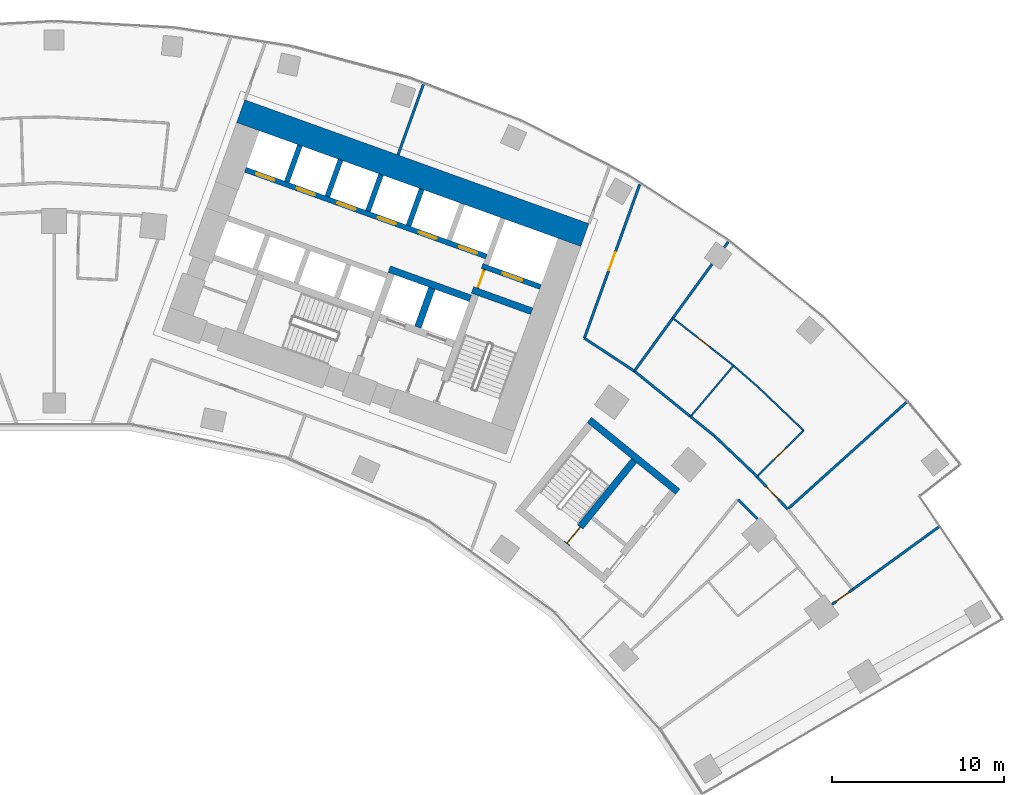
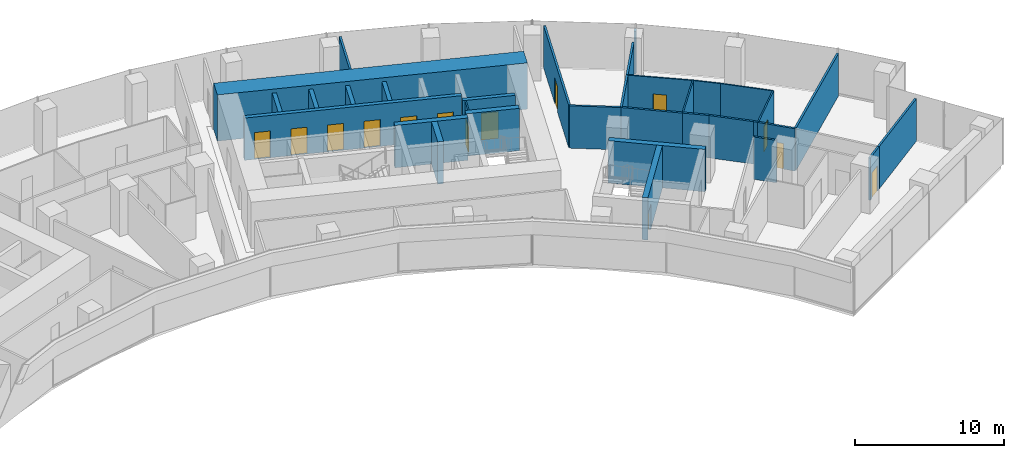
# One storey, part 18 of 21: 33 walls, 14 doors, 14 openings.
"""IFC4 building model written with IfcOpenShell, lengths in metres."""

from ifc_helpers import new_model, si_unit, direction, frame, frame_2d, origin, place, context, subcontext, project, spatial, rectangle, extrude, material, layer, layer_set, type_object, element, fill, save


model = new_model("IFC4")

# Units and contexts
model_context = context("Model", 3, precision=1e-05, world=origin(), true_north=direction((0.0, 1.0)))
body_context = subcontext(model_context, "Body", "Model", "MODEL_VIEW")
ifc_project = project(units=[si_unit("LENGTHUNIT", "METRE"), si_unit("AREAUNIT", "SQUARE_METRE"), si_unit("VOLUMEUNIT", "CUBIC_METRE"), si_unit("PLANEANGLEUNIT", "RADIAN"), si_unit("MASSUNIT", "GRAM", prefix="KILO")], contexts=[model_context])

# Site, building, storey
site_placement = place(None, origin())
site = spatial("IfcSite", under=ifc_project, at=site_placement, CompositionType="ELEMENT")
building_placement = place(site_placement, origin())
building = spatial("IfcBuilding", under=site, at=building_placement, Name="Stone Belt Terrace Tower", CompositionType="ELEMENT")
storey_placement = place(building_placement, frame((0.0, 0.0, 90.800048828125)))
storey = spatial("IfcBuildingStorey", under=building, at=storey_placement, Name="L21", CompositionType="ELEMENT", Elevation=90.800048828125)

# Wall, opening, door
ifc_material_1 = material(Name="Plasterboard partition")
ifc_layer_1 = layer(ifc_material_1, 0.10009765625)
ifc_layer_set_1 = layer_set([ifc_layer_1], Name="Core partition 100")
wall_type_1 = type_object("IfcWallType", Name="Core partition 100", PredefinedType="PARTITIONING", material=ifc_layer_set_1)
wall_1_placement = place(storey_placement, frame((24.555908203125, 51.10400390625, 0.0), z_axis=(0.0, 0.0, 1.0), x_axis=(0.338621735342, 0.94092258999, 0.0)))
wall_1 = element("IfcWall", 1, at=wall_1_placement, inside=storey, type_object=wall_type_1, Name="Core B wall", PredefinedType="PARTITIONING", context=body_context, shape_type="SweptSolid", body=[
    extrude(rectangle(XDim=1.14990234375, YDim=0.10009765625, at=frame_2d((0.574951171875, 0.0))), origin(), (0.0, 0.0, 1.0), 3.47998046875),
])
opening_1_placement = place(wall_1_placement, frame((0.050048828125, 0.0, 0.0)))
opening_1 = element("IfcOpeningElement", 2, at=opening_1_placement, cuts=wall_1, Name="Opening L21-C10", PredefinedType="OPENING", context=body_context, shape_type="SweptSolid", body=[
    extrude(rectangle(XDim=1.0, YDim=2.10009765625, at=frame_2d((0.5, 1.050048828125))), frame((0.0, 0.06005859375, 0.0), z_axis=(0.0, -1.0, 0.0), x_axis=(1.0, 0.0, 0.0)), (0.0, 0.0, 1.0), 0.1201171875),
])
ifc_material_2 = material(Name="Timber door leaf", Category="wood")
door_type_1 = type_object("IfcDoorType", Name="Core room door 1000", OperationType="SINGLE_SWING_LEFT", PredefinedType="DOOR", material=ifc_material_2)
door_1_placement = place(opening_1_placement, origin())
door_1 = element("IfcDoor", 3, at=door_1_placement, inside=storey, type_object=door_type_1, Name="Service lift lobby door core B", OperationType="SINGLE_SWING_LEFT", OverallHeight=2.10009765625, OverallWidth=1.0, PredefinedType="DOOR", context=body_context, shape_type="SweptSolid", body=[
    extrude(rectangle(XDim=1.0, YDim=2.10009765625, at=frame_2d((0.5, 1.050048828125))), frame((0.0, 0.02490234375, 0.0), z_axis=(0.0, -1.0, 0.0), x_axis=(1.0, 0.0, 0.0)), (0.0, 0.0, 1.0), 0.050048828125),
])
fill(opening_1, door_1)

# Walls
ifc_material_3 = material(Name="Concrete B80", Category="concrete")
ifc_layer_2 = layer(ifc_material_3, 1.39990234375)
ifc_layer_set_2 = layer_set([ifc_layer_2], Name="Core wall 1400 B80")
wall_type_2 = type_object("IfcWallType", Name="Core wall 1400 B80", PredefinedType="SHEAR", material=ifc_layer_set_2)
wall_2_placement = place(storey_placement, frame((10.81787109375, 61.362060546875, 0.0), z_axis=(0.0, 0.0, 1.0), x_axis=(0.940919704758, -0.338629752382, 0.0)))
element("IfcWall", 4, at=wall_2_placement, inside=storey, type_object=wall_type_2, Name="Core B wall convex L21", PredefinedType="SHEAR", context=body_context, shape_type="SweptSolid", body=[
    extrude(rectangle(XDim=21.199951171875, YDim=1.39990234375, at=frame_2d((10.60009765625, 0.0))), origin(), (0.0, 0.0, 1.0), 3.800048828125),
])
ifc_layer_3 = layer(ifc_material_3, 0.39990234375)
ifc_layer_set_3 = layer_set([ifc_layer_3], Name="Fire-fighting lift shaft wall 400")
wall_type_3 = type_object("IfcWallType", Name="Fire-fighting lift shaft wall 400", PredefinedType="SHEAR", material=ifc_layer_set_3)
wall_3_placement = place(storey_placement, frame((24.130615234375, 50.512939453125, 0.0), z_axis=(0.0, 0.0, 1.0), x_axis=(-0.94091168377, 0.338652038744, 0.0)))
element("IfcWall", 5, at=wall_3_placement, inside=storey, type_object=wall_type_3, Name="Core B wall", PredefinedType="SHEAR", context=body_context, shape_type="SweptSolid", body=[
    extrude(rectangle(XDim=5.000244140625, YDim=0.39990234375, at=frame_2d((2.5, 0.0))), origin(), (0.0, 0.0, 1.0), 3.47998046875),
])
wall_4_placement = place(storey_placement, frame((21.0859375, 48.845458984375, 0.0), z_axis=(0.0, 0.0, 1.0), x_axis=(0.338629416206, 0.940919825745, 0.0)))
element("IfcWall", 6, at=wall_4_placement, inside=storey, type_object=wall_type_3, Name="Core B wall", PredefinedType="SHEAR", context=body_context, shape_type="SweptSolid", body=[
    extrude(rectangle(XDim=2.400146484375, YDim=0.39990234375, at=frame_2d((1.2001953125, 0.0))), origin(), (0.0, 0.0, 1.0), 3.47998046875),
])

# Wall, opening, door
ifc_layer_4 = layer(ifc_material_3, 0.300048828125)
ifc_layer_set_4 = layer_set([ifc_layer_4], Name="Lift shaft wall 300")
wall_type_4 = type_object("IfcWallType", Name="Lift shaft wall 300", PredefinedType="SHEAR", material=ifc_layer_set_4)
wall_5_placement = place(storey_placement, frame((28.195068359375, 51.17578125, 0.0), z_axis=(0.0, 0.0, 1.0), x_axis=(-0.940901243567, 0.338681044427, 0.0)))
wall_5 = element("IfcWall", 7, at=wall_5_placement, inside=storey, type_object=wall_type_4, Name="Core B wall", PredefinedType="SHEAR", context=body_context, shape_type="SweptSolid", body=[
    extrude(rectangle(XDim=3.599853515625, YDim=0.300048828125, at=frame_2d((1.7998046875, 0.0))), origin(), (0.0, 0.0, 1.0), 3.47998046875),
])
opening_2_placement = place(wall_5_placement, frame((1.1201171875, 0.0, 0.0)))
opening_2 = element("IfcOpeningElement", 8, at=opening_2_placement, cuts=wall_5, Name="Opening L21-LD18", PredefinedType="OPENING", context=body_context, shape_type="SweptSolid", body=[
    extrude(rectangle(XDim=1.199951171875, YDim=2.199951171875, at=frame_2d((0.60009765625, 1.10009765625))), frame((0.0, 0.159912109375, 0.0), z_axis=(0.0, -1.0, 0.0), x_axis=(1.0, 0.0, 0.0)), (0.0, 0.0, 1.0), 0.320068359375),
])
ifc_material_4 = material(Name="Stainless steel door leaf", Category="steel")
door_type_2 = type_object("IfcDoorType", Name="Landing door 1200", OperationType="SLIDING_TO_LEFT", PredefinedType="DOOR", material=ifc_material_4)
door_2_placement = place(opening_2_placement, origin())
door_2 = element("IfcDoor", 9, at=door_2_placement, inside=storey, type_object=door_type_2, Name="Landing door SV1 core B", OperationType="SLIDING_TO_LEFT", OverallHeight=2.199951171875, OverallWidth=1.199951171875, PredefinedType="DOOR", context=body_context, shape_type="SweptSolid", body=[
    extrude(rectangle(XDim=1.199951171875, YDim=2.199951171875, at=frame_2d((0.60009765625, 1.10009765625))), frame((0.0, 0.02490234375, 0.0), z_axis=(0.0, -1.0, 0.0), x_axis=(1.0, 0.0, 0.0)), (0.0, 0.0, 1.0), 0.050048828125),
])
fill(opening_2, door_2)

# Wall, openings, doors
wall_6_placement = place(storey_placement, frame((25.05810546875, 52.9423828125, 0.0), z_axis=(0.0, 0.0, 1.0), x_axis=(-0.940918215764, 0.338633889685, 0.0)))
wall_6 = element("IfcWall", 10, at=wall_6_placement, inside=storey, type_object=wall_type_4, Name="Core B wall", PredefinedType="SHEAR", context=body_context, shape_type="SweptSolid", body=[
    extrude(rectangle(XDim=14.850341796875, YDim=0.300048828125, at=frame_2d((7.42529296875, 0.0))), origin(), (0.0, 0.0, 1.0), 3.47998046875),
])
opening_3_placement = place(wall_6_placement, frame((0.570068359375, 0.0, 0.0)))
opening_3 = element("IfcOpeningElement", 11, at=opening_3_placement, cuts=wall_6, Name="Opening L21-LD10", PredefinedType="OPENING", context=body_context, shape_type="SweptSolid", body=[
    extrude(rectangle(XDim=1.10009765625, YDim=2.199951171875, at=frame_2d((0.550048828125, 1.10009765625))), frame((0.0, 0.159912109375, 0.0), z_axis=(0.0, -1.0, 0.0), x_axis=(1.0, 0.0, 0.0)), (0.0, 0.0, 1.0), 0.320068359375),
])
opening_4_placement = place(wall_6_placement, frame((3.070068359375, 0.0, 0.0)))
opening_4 = element("IfcOpeningElement", 12, at=opening_4_placement, cuts=wall_6, Name="Opening L21-LD11", PredefinedType="OPENING", context=body_context, shape_type="SweptSolid", body=[
    extrude(rectangle(XDim=1.10009765625, YDim=2.199951171875, at=frame_2d((0.550048828125, 1.10009765625))), frame((0.0, 0.159912109375, 0.0), z_axis=(0.0, -1.0, 0.0), x_axis=(1.0, 0.0, 0.0)), (0.0, 0.0, 1.0), 0.320068359375),
])
opening_5_placement = place(wall_6_placement, frame((5.570068359375, 0.0, 0.0)))
opening_5 = element("IfcOpeningElement", 13, at=opening_5_placement, cuts=wall_6, Name="Opening L21-LD12", PredefinedType="OPENING", context=body_context, shape_type="SweptSolid", body=[
    extrude(rectangle(XDim=1.10009765625, YDim=2.199951171875, at=frame_2d((0.550048828125, 1.10009765625))), frame((0.0, 0.159912109375, 0.0), z_axis=(0.0, -1.0, 0.0), x_axis=(1.0, 0.0, 0.0)), (0.0, 0.0, 1.0), 0.320068359375),
])
opening_6_placement = place(wall_6_placement, frame((8.070068359375, 0.0, 0.0)))
opening_6 = element("IfcOpeningElement", 14, at=opening_6_placement, cuts=wall_6, Name="Opening L21-LD13", PredefinedType="OPENING", context=body_context, shape_type="SweptSolid", body=[
    extrude(rectangle(XDim=1.10009765625, YDim=2.199951171875, at=frame_2d((0.550048828125, 1.10009765625))), frame((0.0, 0.159912109375, 0.0), z_axis=(0.0, -1.0, 0.0), x_axis=(1.0, 0.0, 0.0)), (0.0, 0.0, 1.0), 0.320068359375),
])
opening_7_placement = place(wall_6_placement, frame((10.570068359375, 0.0, 0.0)))
opening_7 = element("IfcOpeningElement", 15, at=opening_7_placement, cuts=wall_6, Name="Opening L21-LD14", PredefinedType="OPENING", context=body_context, shape_type="SweptSolid", body=[
    extrude(rectangle(XDim=1.10009765625, YDim=2.199951171875, at=frame_2d((0.550048828125, 1.10009765625))), frame((0.0, 0.159912109375, 0.0), z_axis=(0.0, -1.0, 0.0), x_axis=(1.0, 0.0, 0.0)), (0.0, 0.0, 1.0), 0.320068359375),
])
opening_8_placement = place(wall_6_placement, frame((13.070068359375, 0.0, 0.0)))
opening_8 = element("IfcOpeningElement", 16, at=opening_8_placement, cuts=wall_6, Name="Opening L21-LD15", PredefinedType="OPENING", context=body_context, shape_type="SweptSolid", body=[
    extrude(rectangle(XDim=1.10009765625, YDim=2.199951171875, at=frame_2d((0.550048828125, 1.10009765625))), frame((0.0, 0.159912109375, 0.0), z_axis=(0.0, -1.0, 0.0), x_axis=(1.0, 0.0, 0.0)), (0.0, 0.0, 1.0), 0.320068359375),
])
door_type_3 = type_object("IfcDoorType", Name="Landing door 1100", OperationType="SLIDING_TO_LEFT", PredefinedType="DOOR", material=ifc_material_4)
door_3_placement = place(opening_3_placement, origin())
door_3 = element("IfcDoor", 17, at=door_3_placement, inside=storey, type_object=door_type_3, Name="Landing door LR1 core B", OperationType="SLIDING_TO_LEFT", OverallHeight=2.199951171875, OverallWidth=1.10009765625, PredefinedType="DOOR", context=body_context, shape_type="SweptSolid", body=[
    extrude(rectangle(XDim=1.10009765625, YDim=2.199951171875, at=frame_2d((0.550048828125, 1.10009765625))), frame((0.0, 0.02490234375, 0.0), z_axis=(0.0, -1.0, 0.0), x_axis=(1.0, 0.0, 0.0)), (0.0, 0.0, 1.0), 0.050048828125),
])
fill(opening_3, door_3)
door_4_placement = place(opening_4_placement, origin())
door_4 = element("IfcDoor", 18, at=door_4_placement, inside=storey, type_object=door_type_3, Name="Landing door LR2 core B", OperationType="SLIDING_TO_LEFT", OverallHeight=2.199951171875, OverallWidth=1.10009765625, PredefinedType="DOOR", context=body_context, shape_type="SweptSolid", body=[
    extrude(rectangle(XDim=1.10009765625, YDim=2.199951171875, at=frame_2d((0.550048828125, 1.10009765625))), frame((0.0, 0.02490234375, 0.0), z_axis=(0.0, -1.0, 0.0), x_axis=(1.0, 0.0, 0.0)), (0.0, 0.0, 1.0), 0.050048828125),
])
fill(opening_4, door_4)
door_5_placement = place(opening_5_placement, origin())
door_5 = element("IfcDoor", 19, at=door_5_placement, inside=storey, type_object=door_type_3, Name="Landing door LR3 core B", OperationType="SLIDING_TO_LEFT", OverallHeight=2.199951171875, OverallWidth=1.10009765625, PredefinedType="DOOR", context=body_context, shape_type="SweptSolid", body=[
    extrude(rectangle(XDim=1.10009765625, YDim=2.199951171875, at=frame_2d((0.550048828125, 1.10009765625))), frame((0.0, 0.02490234375, 0.0), z_axis=(0.0, -1.0, 0.0), x_axis=(1.0, 0.0, 0.0)), (0.0, 0.0, 1.0), 0.050048828125),
])
fill(opening_5, door_5)
door_6_placement = place(opening_6_placement, origin())
door_6 = element("IfcDoor", 20, at=door_6_placement, inside=storey, type_object=door_type_3, Name="Landing door LR4 core B", OperationType="SLIDING_TO_LEFT", OverallHeight=2.199951171875, OverallWidth=1.10009765625, PredefinedType="DOOR", context=body_context, shape_type="SweptSolid", body=[
    extrude(rectangle(XDim=1.10009765625, YDim=2.199951171875, at=frame_2d((0.550048828125, 1.10009765625))), frame((0.0, 0.02490234375, 0.0), z_axis=(0.0, -1.0, 0.0), x_axis=(1.0, 0.0, 0.0)), (0.0, 0.0, 1.0), 0.050048828125),
])
fill(opening_6, door_6)
door_7_placement = place(opening_7_placement, origin())
door_7 = element("IfcDoor", 21, at=door_7_placement, inside=storey, type_object=door_type_3, Name="Landing door LR5 core B", OperationType="SLIDING_TO_LEFT", OverallHeight=2.199951171875, OverallWidth=1.10009765625, PredefinedType="DOOR", context=body_context, shape_type="SweptSolid", body=[
    extrude(rectangle(XDim=1.10009765625, YDim=2.199951171875, at=frame_2d((0.550048828125, 1.10009765625))), frame((0.0, 0.02490234375, 0.0), z_axis=(0.0, -1.0, 0.0), x_axis=(1.0, 0.0, 0.0)), (0.0, 0.0, 1.0), 0.050048828125),
])
fill(opening_7, door_7)
door_8_placement = place(opening_8_placement, origin())
door_8 = element("IfcDoor", 22, at=door_8_placement, inside=storey, type_object=door_type_3, Name="Landing door LR6 core B", OperationType="SLIDING_TO_LEFT", OverallHeight=2.199951171875, OverallWidth=1.10009765625, PredefinedType="DOOR", context=body_context, shape_type="SweptSolid", body=[
    extrude(rectangle(XDim=1.10009765625, YDim=2.199951171875, at=frame_2d((0.550048828125, 1.10009765625))), frame((0.0, 0.02490234375, 0.0), z_axis=(0.0, -1.0, 0.0), x_axis=(1.0, 0.0, 0.0)), (0.0, 0.0, 1.0), 0.050048828125),
])
fill(opening_8, door_8)

# Walls
wall_7_placement = place(storey_placement, frame((20.54541015625, 54.72607421875, 0.0), z_axis=(0.0, 0.0, 1.0), x_axis=(0.338569601369, 0.940941350472, 0.0)))
element("IfcWall", 23, at=wall_7_placement, inside=storey, type_object=wall_type_4, Name="Core B wall", PredefinedType="SHEAR", context=body_context, shape_type="SweptSolid", body=[
    extrude(rectangle(XDim=2.249755859375, YDim=0.300048828125, at=frame_2d((1.125, 0.0))), origin(), (0.0, 0.0, 1.0), 3.47998046875),
])
wall_8_placement = place(storey_placement, frame((18.193115234375, 55.572509765625, 0.0), z_axis=(0.0, 0.0, 1.0), x_axis=(0.338535034312, 0.940953787677, 0.0)))
element("IfcWall", 24, at=wall_8_placement, inside=storey, type_object=wall_type_4, Name="Core B wall", PredefinedType="SHEAR", context=body_context, shape_type="SweptSolid", body=[
    extrude(rectangle(XDim=2.25, YDim=0.300048828125, at=frame_2d((1.125, 0.0))), origin(), (0.0, 0.0, 1.0), 3.47998046875),
])
wall_9_placement = place(storey_placement, frame((15.8408203125, 56.419189453125, 0.0), z_axis=(0.0, 0.0, 1.0), x_axis=(0.338569601369, 0.940941350472, 0.0)))
element("IfcWall", 25, at=wall_9_placement, inside=storey, type_object=wall_type_4, Name="Core B wall", PredefinedType="SHEAR", context=body_context, shape_type="SweptSolid", body=[
    extrude(rectangle(XDim=2.249755859375, YDim=0.300048828125, at=frame_2d((1.125, 0.0))), origin(), (0.0, 0.0, 1.0), 3.47998046875),
])
wall_10_placement = place(storey_placement, frame((13.48828125, 57.265625, 0.0), z_axis=(0.0, 0.0, 1.0), x_axis=(0.338631098537, 0.940919220286, 0.0)))
element("IfcWall", 26, at=wall_10_placement, inside=storey, type_object=wall_type_4, Name="Core B wall", PredefinedType="SHEAR", context=body_context, shape_type="SweptSolid", body=[
    extrude(rectangle(XDim=2.250244140625, YDim=0.300048828125, at=frame_2d((1.125, 0.0))), origin(), (0.0, 0.0, 1.0), 3.47998046875),
])

# Wall, opening, door
ifc_material_5 = material(Name="Gypsum board partition")
ifc_layer_5 = layer(ifc_material_5, 0.10009765625)
ifc_layer_set_5 = layer_set([ifc_layer_5], Name="PARTITION 100")
wall_type_5 = type_object("IfcWallType", Name="PARTITION 100", PredefinedType="PARTITIONING", material=ifc_layer_set_5)
wall_11_placement = place(storey_placement, frame((39.387939453125, 46.611083984375, 0.0), z_axis=(0.0, 0.0, 1.0), x_axis=(-0.786962053446, 0.617001399056, 0.0)))
wall_11 = element("IfcWall", 27, at=wall_11_placement, inside=storey, type_object=wall_type_5, Name="L21/wall/i073", PredefinedType="PARTITIONING", context=body_context, shape_type="SweptSolid", body=[
    extrude(rectangle(XDim=4.4716796875, YDim=0.10009765625, at=frame_2d((2.23583984375, 0.0))), origin(), (0.0, 0.0, 1.0), 3.47998046875),
])
opening_9_placement = place(wall_11_placement, frame((1.785888671875, 0.0, 0.0)))
opening_9 = element("IfcOpeningElement", 28, at=opening_9_placement, cuts=wall_11, Name="Opening D-B2-23", PredefinedType="OPENING", context=body_context, shape_type="SweptSolid", body=[
    extrude(rectangle(XDim=0.89990234375, YDim=2.10009765625, at=frame_2d((0.449951171875, 1.050048828125))), frame((0.0, 0.06005859375, 0.0), z_axis=(0.0, -1.0, 0.0), x_axis=(1.0, 0.0, 0.0)), (0.0, 0.0, 1.0), 0.1201171875),
])
door_type_4 = type_object("IfcDoorType", Name="OFFICE DOOR 900 X 2100", OperationType="NOTDEFINED", PredefinedType="DOOR", material=ifc_material_2)
door_9_placement = place(opening_9_placement, origin())
door_9 = element("IfcDoor", 29, at=door_9_placement, inside=storey, type_object=door_type_4, Name="L21/door/i23", OperationType="SINGLE_SWING_RIGHT", OverallHeight=2.10009765625, OverallWidth=0.89990234375, PredefinedType="DOOR", context=body_context, shape_type="SweptSolid", body=[
    extrude(rectangle(XDim=0.89990234375, YDim=2.10009765625, at=frame_2d((0.449951171875, 1.050048828125))), frame((0.0, 0.02490234375, 0.0), z_axis=(0.0, -1.0, 0.0), x_axis=(1.0, 0.0, 0.0)), (0.0, 0.0, 1.0), 0.050048828125),
])
fill(opening_9, door_9)

wall_12_placement = place(storey_placement, frame((40.739013671875, 40.177978515625, 0.0), z_axis=(0.0, 0.0, 1.0), x_axis=(0.7119326246, 0.702247775383, 0.0)))
wall_12 = element("IfcWall", 30, at=wall_12_placement, inside=storey, type_object=wall_type_5, Name="L21/wall/i074", PredefinedType="PARTITIONING", context=body_context, shape_type="SweptSolid", body=[
    extrude(rectangle(XDim=3.806396484375, YDim=0.10009765625, at=frame_2d((1.9033203125, 0.0))), origin(), (0.0, 0.0, 1.0), 3.47998046875),
])
opening_10_placement = place(wall_12_placement, frame((1.453125, 0.0, 0.0)))
opening_10 = element("IfcOpeningElement", 31, at=opening_10_placement, cuts=wall_12, Name="Opening D-B2-24", PredefinedType="OPENING", context=body_context, shape_type="SweptSolid", body=[
    extrude(rectangle(XDim=0.89990234375, YDim=2.10009765625, at=frame_2d((0.449951171875, 1.050048828125))), frame((0.0, 0.06005859375, 0.0), z_axis=(0.0, -1.0, 0.0), x_axis=(1.0, 0.0, 0.0)), (0.0, 0.0, 1.0), 0.1201171875),
])
door_10_placement = place(opening_10_placement, origin())
door_10 = element("IfcDoor", 32, at=door_10_placement, inside=storey, type_object=door_type_4, Name="L21/door/i24", OperationType="SINGLE_SWING_RIGHT", OverallHeight=2.10009765625, OverallWidth=0.89990234375, PredefinedType="DOOR", context=body_context, shape_type="SweptSolid", body=[
    extrude(rectangle(XDim=0.89990234375, YDim=2.10009765625, at=frame_2d((0.449951171875, 1.050048828125))), frame((0.0, 0.02490234375, 0.0), z_axis=(0.0, -1.0, 0.0), x_axis=(1.0, 0.0, 0.0)), (0.0, 0.0, 1.0), 0.050048828125),
])
fill(opening_10, door_10)

# Walls
wall_13_placement = place(storey_placement, frame((43.448974609375, 42.85107421875, 0.0), z_axis=(0.0, 0.0, 1.0), x_axis=(-0.723084314641, 0.690759780184, 0.0)))
element("IfcWall", 33, at=wall_13_placement, inside=storey, type_object=wall_type_5, Name="L21/wall/i075", PredefinedType="PARTITIONING", context=body_context, shape_type="SweptSolid", body=[
    extrude(rectangle(XDim=3.61767578125, YDim=0.10009765625, at=frame_2d((1.808837890625, 0.0))), origin(), (0.0, 0.0, 1.0), 3.47998046875),
])
wall_14_placement = place(storey_placement, frame((40.8330078125, 45.35009765625, 0.0), z_axis=(0.0, 0.0, 1.0), x_axis=(-0.753467080119, 0.657485634198, 0.0)))
element("IfcWall", 34, at=wall_14_placement, inside=storey, type_object=wall_type_5, Name="L21/wall/i076", PredefinedType="PARTITIONING", context=body_context, shape_type="SweptSolid", body=[
    extrude(rectangle(XDim=1.91796875, YDim=0.10009765625, at=frame_2d((0.958984375, 0.0))), origin(), (0.0, 0.0, 1.0), 3.47998046875),
])
wall_15_placement = place(storey_placement, frame((39.387939453125, 46.611083984375, 0.0), z_axis=(0.0, 0.0, 1.0), x_axis=(-0.645622277599, -0.763656909003, 0.0)))
element("IfcWall", 35, at=wall_15_placement, inside=storey, type_object=wall_type_5, Name="L21/wall/i078", PredefinedType="PARTITIONING", context=body_context, shape_type="SweptSolid", body=[
    extrude(rectangle(XDim=3.86572265625, YDim=0.10009765625, at=frame_2d((1.932861328125, 0.0))), origin(), (0.0, 0.0, 1.0), 3.47998046875),
])

# Wall, opening, door
ifc_layer_6 = layer(ifc_material_5, 0.14990234375)
ifc_layer_set_6 = layer_set([ifc_layer_6], Name="PARTITION 150 EI 60")
wall_type_6 = type_object("IfcWallType", Name="PARTITION 150 EI 60", PredefinedType="PARTITIONING", material=ifc_layer_set_6)
wall_16_placement = place(storey_placement, frame((33.951904296875, 57.132080078125, 0.0), z_axis=(0.0, 0.0, 1.0), x_axis=(-0.338553766065, -0.940947048182, 0.0)))
wall_16 = element("IfcWall", 36, at=wall_16_placement, inside=storey, type_object=wall_type_6, Name="L21/wall/i022", PredefinedType="PARTITIONING", context=body_context, shape_type="SweptSolid", body=[
    extrude(rectangle(XDim=9.495849609375, YDim=0.14990234375, at=frame_2d((4.748046875, 0.0))), origin(), (0.0, 0.0, 1.0), 3.47998046875),
])
opening_11_placement = place(wall_16_placement, frame((4.197998046875, 0.0, 0.0)))
opening_11 = element("IfcOpeningElement", 37, at=opening_11_placement, cuts=wall_16, Name="Opening D-B2-21", PredefinedType="OPENING", context=body_context, shape_type="SweptSolid", body=[
    extrude(rectangle(XDim=1.10009765625, YDim=2.10009765625, at=frame_2d((0.550048828125, 1.050048828125))), frame((0.0, 0.0849609375, 0.0), z_axis=(0.0, -1.0, 0.0), x_axis=(1.0, 0.0, 0.0)), (0.0, 0.0, 1.0), 0.169921875),
])
ifc_material_6 = material(Name="Steel fire door set", Category="steel")
door_type_5 = type_object("IfcDoorType", Name="SERVICE ROOM DOOR 1100 X 2100", OperationType="NOTDEFINED", PredefinedType="DOOR", material=ifc_material_6)
door_11_placement = place(opening_11_placement, origin())
door_11 = element("IfcDoor", 38, at=door_11_placement, inside=storey, type_object=door_type_5, Name="L21/door/i21", OperationType="SINGLE_SWING_LEFT", OverallHeight=2.10009765625, OverallWidth=1.10009765625, PredefinedType="DOOR", context=body_context, shape_type="SweptSolid", body=[
    extrude(rectangle(XDim=1.10009765625, YDim=2.10009765625, at=frame_2d((0.550048828125, 1.050048828125))), frame((0.0, 0.02490234375, 0.0), z_axis=(0.0, -1.0, 0.0), x_axis=(1.0, 0.0, 0.0)), (0.0, 0.0, 1.0), 0.050048828125),
])
fill(opening_11, door_11)

# Wall
wall_17_placement = place(storey_placement, frame((21.40576171875, 62.916015625, 0.0), z_axis=(0.0, 0.0, 1.0), x_axis=(-0.338494764103, -0.940968275063, 0.0)))
element("IfcWall", 39, at=wall_17_placement, inside=storey, type_object=wall_type_6, Name="L21/wall/i026", PredefinedType="PARTITIONING", context=body_context, shape_type="SweptSolid", body=[
    extrude(rectangle(XDim=4.34765625, YDim=0.14990234375, at=frame_2d((2.173828125, 0.0))), origin(), (0.0, 0.0, 1.0), 3.47998046875),
])

# Wall, opening, door
wall_18_placement = place(storey_placement, frame((46.301025390625, 33.638916015625, 0.0), z_axis=(0.0, 0.0, 1.0), x_axis=(-0.809407972322, -0.587246740597, 0.0)))
wall_18 = element("IfcWall", 40, at=wall_18_placement, inside=storey, type_object=wall_type_6, Name="L21/wall/i049", PredefinedType="PARTITIONING", context=body_context, shape_type="SweptSolid", body=[
    extrude(rectangle(XDim=1.475830078125, YDim=0.14990234375, at=frame_2d((0.73779296875, 0.0))), origin(), (0.0, 0.0, 1.0), 3.47998046875),
])
opening_12_placement = place(wall_18_placement, frame((0.287841796875, 0.0, 0.0)))
opening_12 = element("IfcOpeningElement", 41, at=opening_12_placement, cuts=wall_18, Name="Opening D-B2-16", PredefinedType="OPENING", context=body_context, shape_type="SweptSolid", body=[
    extrude(rectangle(XDim=0.89990234375, YDim=2.10009765625, at=frame_2d((0.449951171875, 1.050048828125))), frame((0.0, 0.0849609375, 0.0), z_axis=(0.0, -1.0, 0.0), x_axis=(1.0, 0.0, 0.0)), (0.0, 0.0, 1.0), 0.169921875),
])
door_12_placement = place(opening_12_placement, origin())
door_12 = element("IfcDoor", 42, at=door_12_placement, inside=storey, type_object=door_type_4, Name="L21/door/i16", OperationType="SINGLE_SWING_RIGHT", OverallHeight=2.10009765625, OverallWidth=0.89990234375, PredefinedType="DOOR", context=body_context, shape_type="SweptSolid", body=[
    extrude(rectangle(XDim=0.89990234375, YDim=2.10009765625, at=frame_2d((0.449951171875, 1.050048828125))), frame((0.0, 0.02490234375, 0.0), z_axis=(0.0, -1.0, 0.0), x_axis=(1.0, 0.0, 0.0)), (0.0, 0.0, 1.0), 0.050048828125),
])
fill(opening_12, door_12)

# Walls
wall_19_placement = place(storey_placement, frame((46.291015625, 33.632080078125, 0.0), z_axis=(0.0, 0.0, 1.0), x_axis=(0.809007988274, 0.587797647927, 0.0)))
element("IfcWall", 43, at=wall_19_placement, inside=storey, type_object=wall_type_6, Name="L21/wall/i051", PredefinedType="PARTITIONING", context=body_context, shape_type="SweptSolid", body=[
    extrude(rectangle(XDim=6.171630859375, YDim=0.14990234375, at=frame_2d((3.0859375, 0.0))), origin(), (0.0, 0.0, 1.0), 3.47998046875),
])
wall_20_placement = place(storey_placement, frame((30.739013671875, 48.202880859375, 0.0), z_axis=(0.0, 0.0, 1.0), x_axis=(0.835274160171, -0.549833681535, 0.0)))
element("IfcWall", 44, at=wall_20_placement, inside=storey, type_object=wall_type_6, Name="L21/wall/i052", PredefinedType="PARTITIONING", context=body_context, shape_type="SweptSolid", body=[
    extrude(rectangle(XDim=3.46826171875, YDim=0.14990234375, at=frame_2d((1.734130859375, 0.0))), origin(), (0.0, 0.0, 1.0), 3.47998046875),
])
wall_21_placement = place(storey_placement, frame((33.635986328125, 46.2958984375, 0.0), z_axis=(0.0, 0.0, 1.0), x_axis=(0.777125625244, -0.629345503352, 0.0)))
element("IfcWall", 45, at=wall_21_placement, inside=storey, type_object=wall_type_6, Name="L21/wall/i053", PredefinedType="PARTITIONING", context=body_context, shape_type="SweptSolid", body=[
    extrude(rectangle(XDim=4.1962890625, YDim=0.14990234375, at=frame_2d((2.09814453125, 0.0))), origin(), (0.0, 0.0, 1.0), 3.47998046875),
])
wall_22_placement = place(storey_placement, frame((36.886962890625, 43.6630859375, 0.0), z_axis=(0.0, 0.0, 1.0), x_axis=(0.777200778187, -0.629252691997, 0.0)))
element("IfcWall", 46, at=wall_22_placement, inside=storey, type_object=wall_type_6, Name="L21/wall/i054", PredefinedType="PARTITIONING", context=body_context, shape_type="SweptSolid", body=[
    extrude(rectangle(XDim=1.80517578125, YDim=0.14990234375, at=frame_2d((0.902587890625, 0.0))), origin(), (0.0, 0.0, 1.0), 3.47998046875),
])
wall_23_placement = place(storey_placement, frame((38.291015625, 42.52587890625, 0.0), z_axis=(0.0, 0.0, 1.0), x_axis=(0.724835843729, -0.688921620829, 0.0)))
element("IfcWall", 47, at=wall_23_placement, inside=storey, type_object=wall_type_6, Name="L21/wall/i055", PredefinedType="PARTITIONING", context=body_context, shape_type="SweptSolid", body=[
    extrude(rectangle(XDim=3.093017578125, YDim=0.14990234375, at=frame_2d((1.54638671875, 0.0))), origin(), (0.0, 0.0, 1.0), 3.47998046875),
])
wall_24_placement = place(storey_placement, frame((40.765625, 37.721435546875, 0.0), z_axis=(0.0, 0.0, 1.0), x_axis=(-0.707106781187, 0.707106781187, 0.0)))
element("IfcWall", 48, at=wall_24_placement, inside=storey, type_object=wall_type_6, Name="L21/wall/i056", PredefinedType="PARTITIONING", context=body_context, shape_type="SweptSolid", body=[
    extrude(rectangle(XDim=1.587646484375, YDim=0.14990234375, at=frame_2d((0.7939453125, 0.0))), origin(), (0.0, 0.0, 1.0), 3.47998046875),
])

# Wall, opening, door
wall_25_placement = place(storey_placement, frame((40.735107421875, 40.181884765625, 0.0), z_axis=(0.0, 0.0, 1.0), x_axis=(0.687627627424, -0.726063527526, 0.0)))
wall_25 = element("IfcWall", 49, at=wall_25_placement, inside=storey, type_object=wall_type_6, Name="L21/wall/i059", PredefinedType="PARTITIONING", context=body_context, shape_type="SweptSolid", body=[
    extrude(rectangle(XDim=2.604248046875, YDim=0.14990234375, at=frame_2d((1.30224609375, 0.0))), origin(), (0.0, 0.0, 1.0), 3.47998046875),
])
opening_13_placement = place(wall_25_placement, frame((0.80224609375, 0.0, 0.0)))
opening_13 = element("IfcOpeningElement", 50, at=opening_13_placement, cuts=wall_25, Name="Opening D-B2-22", PredefinedType="OPENING", context=body_context, shape_type="SweptSolid", body=[
    extrude(rectangle(XDim=1.0, YDim=2.10009765625, at=frame_2d((0.5, 1.050048828125))), frame((0.0, 0.0849609375, 0.0), z_axis=(0.0, -1.0, 0.0), x_axis=(1.0, 0.0, 0.0)), (0.0, 0.0, 1.0), 0.169921875),
])
ifc_material_7 = material(Name="Timber fire door leaf", Category="wood")
door_type_6 = type_object("IfcDoorType", Name="TENANCY ENTRANCE DOOR 1000 X 2100", OperationType="NOTDEFINED", PredefinedType="DOOR", material=ifc_material_7)
door_13_placement = place(opening_13_placement, origin())
door_13 = element("IfcDoor", 51, at=door_13_placement, inside=storey, type_object=door_type_6, Name="L21/door/i22", OperationType="SINGLE_SWING_RIGHT", OverallHeight=2.10009765625, OverallWidth=1.0, PredefinedType="DOOR", context=body_context, shape_type="SweptSolid", body=[
    extrude(rectangle(XDim=1.0, YDim=2.10009765625, at=frame_2d((0.5, 1.050048828125))), frame((0.0, 0.02490234375, 0.0), z_axis=(0.0, -1.0, 0.0), x_axis=(1.0, 0.0, 0.0)), (0.0, 0.0, 1.0), 0.050048828125),
])
fill(opening_13, door_13)

# Walls
wall_26_placement = place(storey_placement, frame((40.532958984375, 40.39501953125, 0.0), z_axis=(0.0, 0.0, 1.0), x_axis=(0.68885471009, -0.724899433292, 0.0)))
element("IfcWall", 52, at=wall_26_placement, inside=storey, type_object=wall_type_6, Name="L21/wall/i060", PredefinedType="PARTITIONING", context=body_context, shape_type="SweptSolid", body=[
    extrude(rectangle(XDim=0.3046875, YDim=0.14990234375, at=frame_2d((0.15234375, 0.0))), origin(), (0.0, 0.0, 1.0), 3.47998046875),
])
wall_27_placement = place(storey_placement, frame((39.087890625, 53.7998046875, 0.0), z_axis=(0.0, 0.0, 1.0), x_axis=(-0.588207421816, -0.808710101904, 0.0)))
element("IfcWall", 53, at=wall_27_placement, inside=storey, type_object=wall_type_6, Name="L21/wall/i070", PredefinedType="PARTITIONING", context=body_context, shape_type="SweptSolid", body=[
    extrude(rectangle(XDim=0.40625, YDim=0.14990234375, at=frame_2d((0.203125, 0.0))), origin(), (0.0, 0.0, 1.0), 3.47998046875),
])
wall_28_placement = place(storey_placement, frame((38.1376953125, 52.4921875, 0.0), z_axis=(0.0, 0.0, 1.0), x_axis=(-0.58789754281, -0.808935398631, 0.0)))
element("IfcWall", 54, at=wall_28_placement, inside=storey, type_object=wall_type_6, Name="L21/wall/i071", PredefinedType="PARTITIONING", context=body_context, shape_type="SweptSolid", body=[
    extrude(rectangle(XDim=3.86572265625, YDim=0.14990234375, at=frame_2d((1.932861328125, 0.0))), origin(), (0.0, 0.0, 1.0), 3.47998046875),
])
wall_29_placement = place(storey_placement, frame((35.873046875, 49.375, 0.0), z_axis=(0.0, 0.0, 1.0), x_axis=(-0.587778771374, -0.809021702998, 0.0)))
element("IfcWall", 55, at=wall_29_placement, inside=storey, type_object=wall_type_6, Name="L21/wall/i072", PredefinedType="PARTITIONING", context=body_context, shape_type="SweptSolid", body=[
    extrude(rectangle(XDim=3.805908203125, YDim=0.14990234375, at=frame_2d((1.90283203125, 0.0))), origin(), (0.0, 0.0, 1.0), 3.47998046875),
])
wall_30_placement = place(storey_placement, frame((49.41943359375, 44.496826171875, 0.0), z_axis=(0.0, 0.0, 1.0), x_axis=(-0.743207759706, -0.669060704206, 0.0)))
element("IfcWall", 56, at=wall_30_placement, inside=storey, type_object=wall_type_6, Name="L21/wall/i077", PredefinedType="PARTITIONING", context=body_context, shape_type="SweptSolid", body=[
    extrude(rectangle(XDim=9.275390625, YDim=0.14990234375, at=frame_2d((4.6376953125, 0.0))), origin(), (0.0, 0.0, 1.0), 3.47998046875),
])
ifc_layer_7 = layer(ifc_material_3, 0.39990234375)
ifc_layer_set_7 = layer_set([ifc_layer_7], Name="Stair enclosure wall 400")
wall_type_7 = type_object("IfcWallType", Name="Stair enclosure wall 400", PredefinedType="SHEAR", material=ifc_layer_set_7)
wall_31_placement = place(storey_placement, frame((27.687255859375, 49.764404296875, 0.0), z_axis=(0.0, 0.0, 1.0), x_axis=(-0.940918954884, 0.338631835981, 0.0)))
element("IfcWall", 57, at=wall_31_placement, inside=storey, type_object=wall_type_7, Name="Core B wall", PredefinedType="SHEAR", context=body_context, shape_type="SweptSolid", body=[
    extrude(rectangle(XDim=3.650146484375, YDim=0.39990234375, at=frame_2d((1.8251953125, 0.0))), origin(), (0.0, 0.0, 1.0), 3.47998046875),
])
wall_32_placement = place(storey_placement, frame((31.02783203125, 43.46337890625, 0.0), z_axis=(0.0, 0.0, 1.0), x_axis=(0.776413760801, -0.630223509589, 0.0)))
element("IfcWall", 58, at=wall_32_placement, inside=storey, type_object=wall_type_7, Name="Exit stair ST3B wall", PredefinedType="SHEAR", context=body_context, shape_type="SweptSolid", body=[
    extrude(rectangle(XDim=6.599853515625, YDim=0.39990234375, at=frame_2d((3.2998046875, 0.0))), origin(), (0.0, 0.0, 1.0), 3.47998046875),
])

# Wall, opening, door
wall_33_placement = place(storey_placement, frame((29.7119140625, 36.288330078125, 0.0), z_axis=(0.0, 0.0, 1.0), x_axis=(0.630192283849, 0.776439106033, 0.0)))
wall_33 = element("IfcWall", 59, at=wall_33_placement, inside=storey, type_object=wall_type_7, Name="Exit stair ST3B wall", PredefinedType="SHEAR", context=body_context, shape_type="SweptSolid", body=[
    extrude(rectangle(XDim=6.199951171875, YDim=0.39990234375, at=frame_2d((3.10009765625, 0.0))), origin(), (0.0, 0.0, 1.0), 3.47998046875),
])
opening_14_placement = place(wall_33_placement, frame((0.050048828125, 0.0, 0.0)))
opening_14 = element("IfcOpeningElement", 60, at=opening_14_placement, cuts=wall_33, Name="Opening L21-C22", PredefinedType="OPENING", context=body_context, shape_type="SweptSolid", body=[
    extrude(rectangle(XDim=1.199951171875, YDim=2.10009765625, at=frame_2d((0.60009765625, 1.050048828125))), frame((0.0, 0.2099609375, 0.0), z_axis=(0.0, -1.0, 0.0), x_axis=(1.0, 0.0, 0.0)), (0.0, 0.0, 1.0), 0.419921875),
])
ifc_material_8 = material(Name="Steel door leaf", Category="steel")
door_type_7 = type_object("IfcDoorType", Name="Stair door 1200", OperationType="SINGLE_SWING_LEFT", PredefinedType="DOOR", material=ifc_material_8)
door_14_placement = place(opening_14_placement, origin())
door_14 = element("IfcDoor", 61, at=door_14_placement, inside=storey, type_object=door_type_7, Name="Stair door ST3B", OperationType="SINGLE_SWING_LEFT", OverallHeight=2.10009765625, OverallWidth=1.199951171875, PredefinedType="DOOR", context=body_context, shape_type="SweptSolid", body=[
    extrude(rectangle(XDim=1.199951171875, YDim=2.10009765625, at=frame_2d((0.60009765625, 1.050048828125))), frame((0.0, 0.02490234375, 0.0), z_axis=(0.0, -1.0, 0.0), x_axis=(1.0, 0.0, 0.0)), (0.0, 0.0, 1.0), 0.050048828125),
])
fill(opening_14, door_14)

save(model, "model.ifc")
